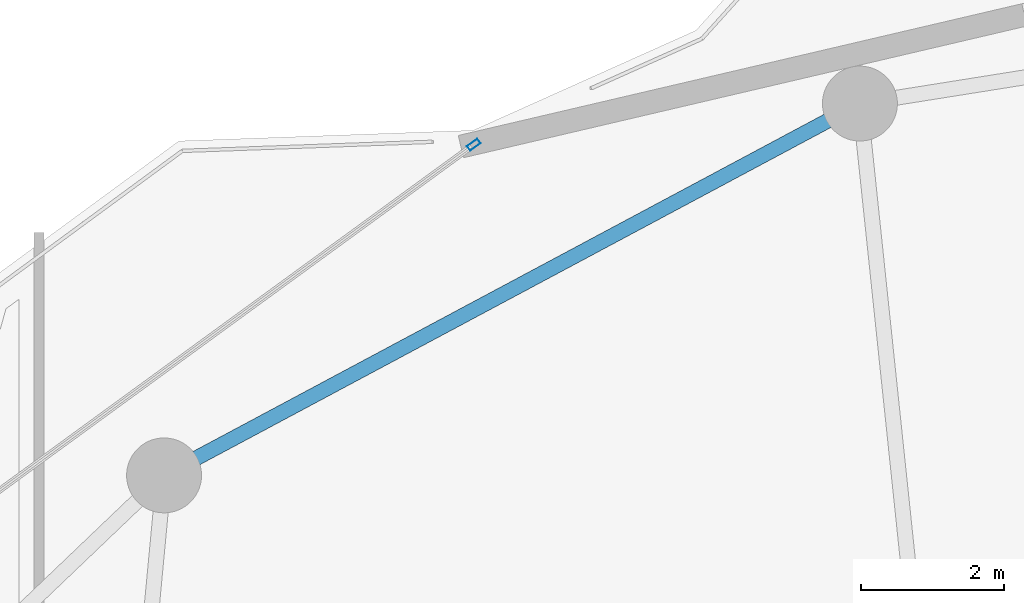
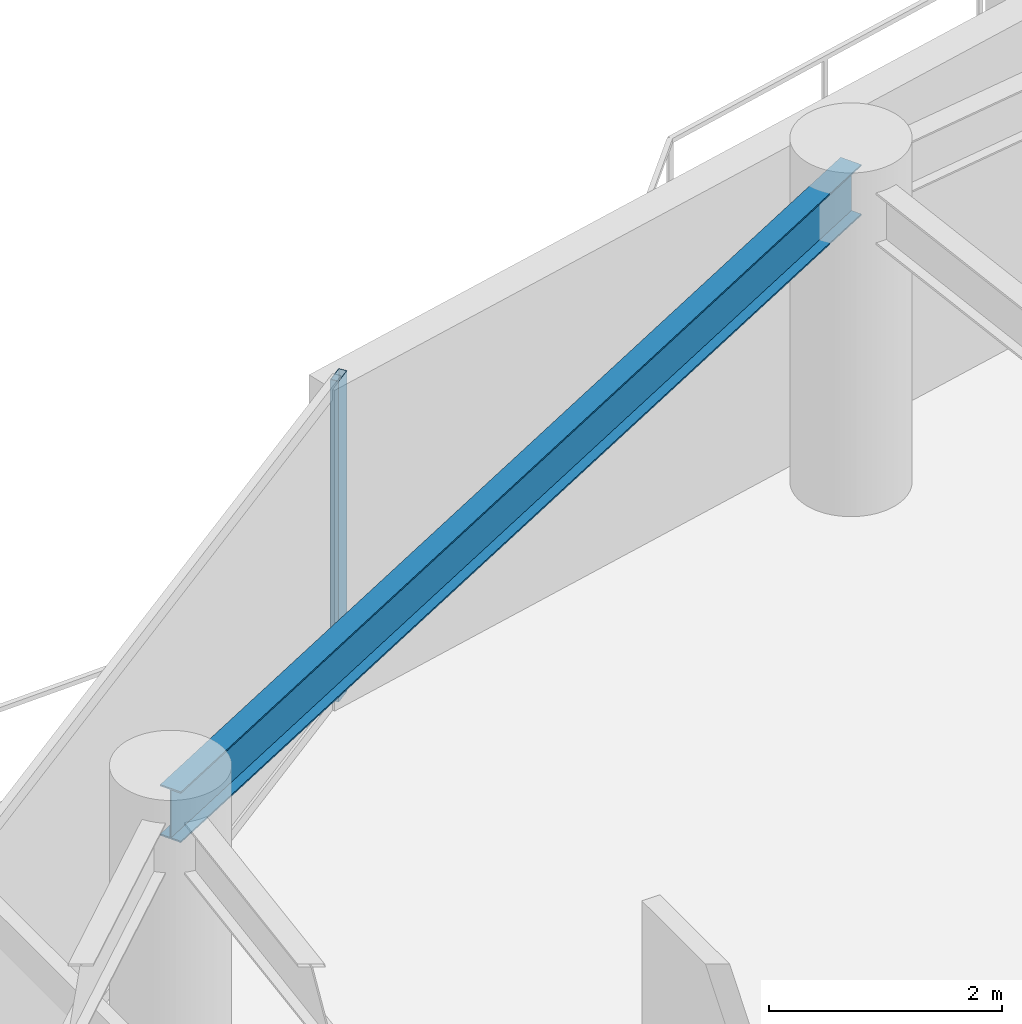
# One storey, part 18 of 31: 1 beam, 1 member, 1 element without a shape of its own.
"""IFC4 building model written with IfcOpenShell, lengths in metres."""

import ifcopenshell
import ifcopenshell.guid

model = None  # the IFC model being written
_history = None  # IfcOwnerHistory: only IFC2X3 demands one
_inside = {}  # id of a spatial element -> (the spatial element, [elements in it])
_under = {}  # id of a project, library or spatial element -> (it, [spatial elements below it])
_declared = {}  # id of a project -> (the project, [libraries it declares])
_typed = {}  # id of a type object -> (the type object, [elements of that type])
_made_of = {}  # id of a material, layer set ... -> (it, [elements and type objects made of it])


def new_model(schema):
    """Start an empty IFC model of exactly this schema.

    Asked for "IFC4X3", IfcOpenShell would pick the latest addendum, in which some entities
    have other attributes; the version numbers below select the first issue.
    IFC2X3 requires an IfcOwnerHistory on every rooted entity: one is made here for all.
    """
    global model, _history
    if schema == "IFC4X3":
        model = ifcopenshell.file(schema_version=(4, 3, 0, 0))
    else:
        model = ifcopenshell.file(schema=schema)
    _inside.clear()
    _under.clear()
    _declared.clear()
    _typed.clear()
    _made_of.clear()
    _history = None
    if model.schema == "IFC2X3":
        org = make("IfcOrganization", Name="unknown")
        user = make(
            "IfcPersonAndOrganization",
            ThePerson=make("IfcPerson", FamilyName="unknown"),
            TheOrganization=org,
        )
        app = make(
            "IfcApplication",
            ApplicationDeveloper=org,
            Version="unknown",
            ApplicationFullName="unknown",
            ApplicationIdentifier="unknown",
        )
        _history = make(
            "IfcOwnerHistory",
            OwningUser=user,
            OwningApplication=app,
            ChangeAction="ADDED",
            CreationDate=0,
        )
    return model


def make(cls, **values):
    """One entity of the class cls with the attributes given. An attribute that is None is left unset."""
    return model.create_entity(
        cls, **{name: value for name, value in values.items() if value is not None}
    )


def rooted(cls, **values):
    """An entity with a GlobalId (a new one), such as an element, a storey or a relation."""
    return make(cls, GlobalId=ifcopenshell.guid.new(), OwnerHistory=_history, **values)


def si_unit(unit_type, name, prefix=None):
    """IfcSIUnit, for example si_unit("LENGTHUNIT", "METRE", prefix="MILLI")."""
    return make("IfcSIUnit", UnitType=unit_type, Prefix=prefix, Name=name)


def assignment(units):
    """IfcUnitAssignment: the units of a project."""
    return None if units is None else make("IfcUnitAssignment", Units=units)


def point(xyz):
    """IfcCartesianPoint."""
    return None if xyz is None else make("IfcCartesianPoint", Coordinates=xyz)


def direction(xyz):
    """IfcDirection."""
    return None if xyz is None else make("IfcDirection", DirectionRatios=xyz)


def frame(location, z_axis=None, x_axis=None):
    """IfcAxis2Placement3D, a coordinate frame: its origin and axes. An axis left out is left unset."""
    return make(
        "IfcAxis2Placement3D",
        Location=point(location),
        Axis=direction(z_axis),
        RefDirection=direction(x_axis),
    )


def frame_2d(location, x_axis=None):
    """IfcAxis2Placement2D, a coordinate frame in the plane: its origin and x axis."""
    return make(
        "IfcAxis2Placement2D", Location=point(location), RefDirection=direction(x_axis)
    )


def origin():
    """The frame at (0, 0, 0) with its axes left unset."""
    return frame((0.0, 0.0, 0.0))


def origin_2d():
    """The frame at (0, 0) in the plane with its x axis left unset."""
    return frame_2d((0.0, 0.0))


def place(relative_to, where):
    """IfcLocalPlacement: puts the frame where relative to a parent placement (None: the world)."""
    return make(
        "IfcLocalPlacement", PlacementRelTo=relative_to, RelativePlacement=where
    )


def context(
    kind, dimensions, precision=None, world=None, true_north=None, identifier=None
):
    """IfcGeometricRepresentationContext, for example the 3D "Model" context."""
    return make(
        "IfcGeometricRepresentationContext",
        ContextIdentifier=identifier,
        ContextType=kind,
        CoordinateSpaceDimension=dimensions,
        Precision=precision,
        WorldCoordinateSystem=world,
        TrueNorth=true_north,
    )


def subcontext(parent, identifier, kind, view, scale=None):
    """IfcGeometricRepresentationSubContext, for example "Body" below "Model"."""
    return make(
        "IfcGeometricRepresentationSubContext",
        ContextIdentifier=identifier,
        ContextType=kind,
        ParentContext=parent,
        TargetScale=scale,
        TargetView=view,
    )


def project(units=None, contexts=None):
    """IfcProject with its units and contexts."""
    return rooted(
        "IfcProject",
        Name="project",
        RepresentationContexts=contexts,
        UnitsInContext=assignment(units),
    )


def spatial(cls, under=None, at=None, **own):
    """A site, building, storey or space (cls), placed at a placement, below another one or the project."""
    s = rooted(cls, ObjectPlacement=at, **own)
    if under is not None:
        _under.setdefault(under.id(), (under, []))[1].append(s)
    return s


def profile(cls, at=None, kind="AREA", **sizes):
    """A parametric profile (cls). Its sizes go by their IFC names, for example OverallWidth=200.0."""
    return make(cls, ProfileType=kind, Position=at, **sizes)


def hollow_rectangle(**sizes):
    """IfcRectangleHollowProfileDef."""
    return profile("IfcRectangleHollowProfileDef", **sizes)


def i_section(**sizes):
    """IfcIShapeProfileDef."""
    return profile("IfcIShapeProfileDef", **sizes)


def extrude(swept, where, along, depth):
    """IfcExtrudedAreaSolid: the profile swept, set in the frame where, extruded along a direction by depth."""
    return make(
        "IfcExtrudedAreaSolid",
        SweptArea=swept,
        Position=where,
        ExtrudedDirection=direction(along),
        Depth=depth,
    )


def shape(context_of_items, identifier, shape_type, items):
    """IfcShapeRepresentation: the items that make up one representation, for example the "Body"."""
    return make(
        "IfcShapeRepresentation",
        ContextOfItems=context_of_items,
        RepresentationIdentifier=identifier,
        RepresentationType=shape_type,
        Items=items,
    )


def material(Name=None, Category=None):
    """IfcMaterial."""
    return make("IfcMaterial", Name=Name, Category=Category)


def layer(
    of_material, thickness, ventilated=None, Name=None, Category=None, Priority=None
):
    """IfcMaterialLayer: one layer of a wall or slab, of a material (None: an air gap)."""
    return make(
        "IfcMaterialLayer",
        Material=of_material,
        LayerThickness=thickness,
        IsVentilated=ventilated,
        Name=Name,
        Category=Category,
        Priority=Priority,
    )


def layer_set(layers, Name=None):
    """IfcMaterialLayerSet."""
    return make("IfcMaterialLayerSet", MaterialLayers=layers, LayerSetName=Name)


def material_profile(
    of_material, cross_section, Name=None, Category=None, Priority=None
):
    """IfcMaterialProfile: a cross section and its material."""
    return make(
        "IfcMaterialProfile",
        Name=Name,
        Material=of_material,
        Profile=cross_section,
        Priority=Priority,
        Category=Category,
    )


def profile_set(profiles, Name=None, composite=None):
    """IfcMaterialProfileSet."""
    return make(
        "IfcMaterialProfileSet",
        Name=Name,
        MaterialProfiles=profiles,
        CompositeProfile=composite,
    )


def made_of(thing, what):
    """Note that an element or type object is made of a material, layer set ...; save() writes the relation."""
    if what is not None:
        _made_of.setdefault(what.id(), (what, []))[1].append(thing)
    return thing


def type_object(cls, material=None, **own):
    """A type object (cls), such as IfcWallType, which elements share."""
    return made_of(rooted(cls, **own), material)


def element(
    cls,
    number,
    at=None,
    inside=None,
    cuts=None,
    type_object=None,
    material=None,
    context=None,
    identifier="Body",
    shape_type=None,
    held_by="IfcProductDefinitionShape",
    body=None,
    shapes=None,
    **own,
):
    """One element of the class cls, such as IfcWall. Its Tag is "e" and its number.

    at: its placement. inside: the storey or other place that contains it. cuts: it is an
    opening in that element (IfcRelVoidsElement). A single representation is given by context,
    identifier, shape_type and body (its items); several are given by shapes. held_by: the class
    of the entity that holds the representations. save() writes the other relations.
    """
    e = rooted(cls, Tag="e%d" % number, ObjectPlacement=at, **own)
    if body is not None:
        shapes = [shape(context, identifier, shape_type, body)]
    if shapes is not None:
        e.Representation = make(held_by, Representations=shapes)
    if inside is not None:
        _inside.setdefault(inside.id(), (inside, []))[1].append(e)
    if cuts is not None:
        rooted(
            "IfcRelVoidsElement", RelatingBuildingElement=cuts, RelatedOpeningElement=e
        )
    if type_object is not None:
        _typed.setdefault(type_object.id(), (type_object, []))[1].append(e)
    return made_of(e, material)


def aggregate(whole, parts):
    """IfcRelAggregates: a whole, such as a stair, and the parts it consists of."""
    return rooted("IfcRelAggregates", RelatingObject=whole, RelatedObjects=parts)


def save(model, path):
    """Write the relations noted so far, then the file.

    IfcRelAggregates (storeys below a building ...), IfcRelContainedInSpatialStructure (elements
    in a storey), IfcRelDefinesByType, IfcRelAssociatesMaterial and IfcRelDeclares: one each for
    every whole, place, type object, material and project.
    """
    for whole, parts in _under.values():
        aggregate(whole, parts)
    for where, things in _inside.values():
        rooted(
            "IfcRelContainedInSpatialStructure",
            RelatedElements=things,
            RelatingStructure=where,
        )
    for kind, things in _typed.values():
        rooted("IfcRelDefinesByType", RelatedObjects=things, RelatingType=kind)
    for what, things in _made_of.values():
        rooted("IfcRelAssociatesMaterial", RelatedObjects=things, RelatingMaterial=what)
    for by, libraries in _declared.values():
        rooted("IfcRelDeclares", RelatingContext=by, RelatedDefinitions=libraries)
    model.write(path)


model = new_model("IFC4")

# Units and contexts
model_context = context("Model", 3, precision=1e-05, world=origin(), true_north=direction((0.0, 1.0)))
body_context = subcontext(model_context, "Body", "Model", "MODEL_VIEW")
ifc_project = project(units=[si_unit("LENGTHUNIT", "METRE"), si_unit("AREAUNIT", "SQUARE_METRE"), si_unit("VOLUMEUNIT", "CUBIC_METRE"), si_unit("PLANEANGLEUNIT", "RADIAN"), si_unit("MASSUNIT", "GRAM", prefix="KILO")], contexts=[model_context])

# Site, building, storey
site_placement = place(None, origin())
site = spatial("IfcSite", under=ifc_project, at=site_placement, CompositionType="ELEMENT")
building_placement = place(site_placement, origin())
building = spatial("IfcBuilding", under=site, at=building_placement, Name="Kazevale Care Tower and Concert Hall", CompositionType="ELEMENT")
storey_placement = place(building_placement, frame((0.0, 0.0, 220.800048828125)))
storey = spatial("IfcBuildingStorey", under=building, at=storey_placement, Name="L58", CompositionType="ELEMENT", Elevation=220.800048828125)

# Curtain wall, member
ifc_material_1 = material(Name="Aluminium 6063-T6 and Low-E Glass", Category="aluminium")
ifc_layer = layer(ifc_material_1, 0.179931640625)
ifc_layer_set = layer_set([ifc_layer], Name="Aluminium 6063-T6 and Low-E Glass")
curtain_wall_type = type_object("IfcCurtainWallType", Name="Waist & Upper Residential Curtain Wall CW-4", PredefinedType="NOTDEFINED", material=ifc_layer_set)
curtain_wall_placement = place(storey_placement, origin())
curtain_wall = element("IfcCurtainWall", 1, at=curtain_wall_placement, inside=storey, type_object=curtain_wall_type, Name="cw:L58:f14", PredefinedType="NOTDEFINED")
ifc_material_2 = material(Name="Aluminium 6063-T6", Category="aluminium")
ifc_material_profile_1 = material_profile(ifc_material_2, hollow_rectangle(XDim=0.080078125, YDim=0.179931640625, WallThickness=0.0048828125, at=origin_2d()), Name="ALU80x180x5")
ifc_profile_set_1 = profile_set([ifc_material_profile_1], Name="Aluminium 6063-T6")
member_type = type_object("IfcMemberType", Name="CW-4 Mullion ALU80x180x5", PredefinedType="MULLION", material=ifc_profile_set_1)
member_placement = place(storey_placement, frame((28.090576171875, 59.6435546875, 0.0), z_axis=(0.0, 0.0, 1.0), x_axis=(-0.588910374145, 0.808198348937, 0.0)))
member = element("IfcMember", 2, at=member_placement, type_object=member_type, Name="CW-4 mullion 2", PredefinedType="MULLION", context=body_context, shape_type="SweptSolid", body=[
    extrude(hollow_rectangle(XDim=0.080078125, YDim=0.179931640625, WallThickness=0.0048828125, at=origin_2d()), origin(), (0.0, 0.0, 1.0), 3.35986328125),
])
aggregate(curtain_wall, [member])

# Beam
ifc_material_3 = material(Name="Steel ASTM A572 Gr 50", Category="steel")
ifc_material_profile_2 = material_profile(ifc_material_3, i_section(OverallWidth=0.208984375, OverallDepth=0.532958984375, WebThickness=0.01025390625, FlangeThickness=0.015625, at=origin_2d()), Name="W530x92")
ifc_profile_set_2 = profile_set([ifc_material_profile_2], Name="Steel ASTM A572 Gr 50")
beam_type = type_object("IfcBeamType", Name="Upper Ring Beam W530x92", PredefinedType="BEAM", material=ifc_profile_set_2)
beam_placement = place(storey_placement, frame((33.5, 60.219970703125, 3.093505859375), z_axis=(-0.881978519833, -0.471289603697, 0.0), x_axis=(0.471289603697, -0.881978519833, 0.0)))
element("IfcBeam", 3, at=beam_placement, inside=storey, type_object=beam_type, Name="beam:L58:ring:06", PredefinedType="BEAM", context=body_context, shape_type="SweptSolid", body=[
    extrude(i_section(OverallWidth=0.208984375, OverallDepth=0.532958984375, WebThickness=0.01025390625, FlangeThickness=0.015625, at=origin_2d()), origin(), (0.0, 0.0, 1.0), 11.0546875),
])

save(model, "model.ifc")
